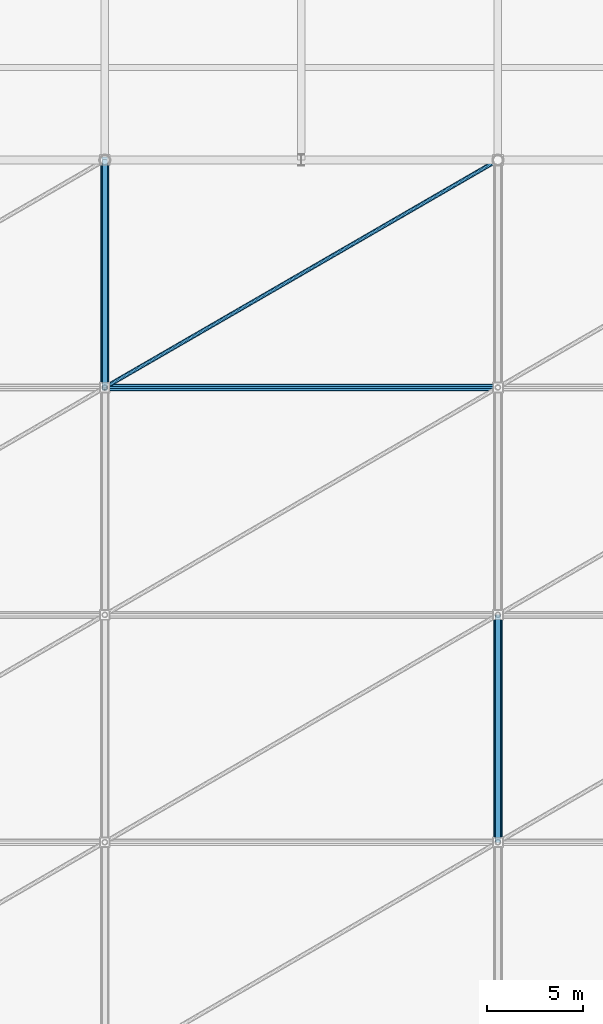
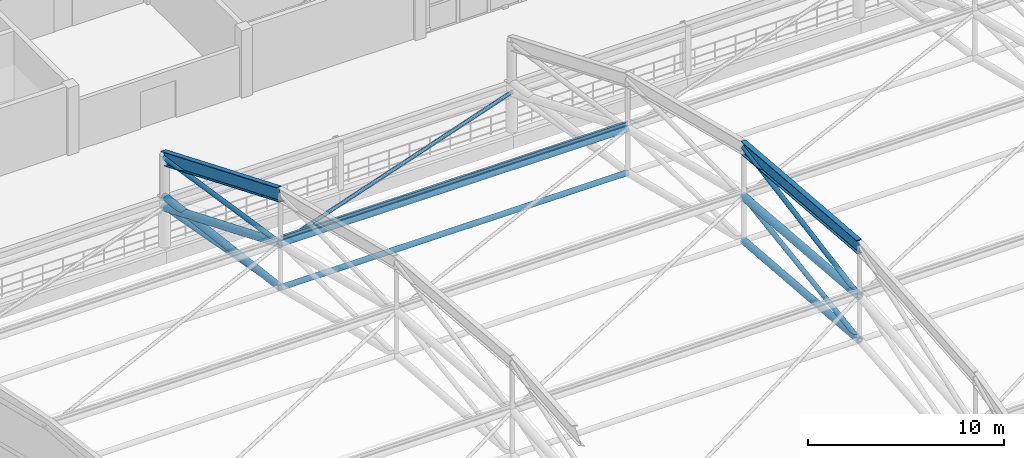
# One storey, part 28 of 135: 12 members, 2 beams.
"""IFC4 building model written with IfcOpenShell, lengths in metres."""

import ifcopenshell
import ifcopenshell.guid

model = None  # the IFC model being written
_history = None  # IfcOwnerHistory: only IFC2X3 demands one
_inside = {}  # id of a spatial element -> (the spatial element, [elements in it])
_under = {}  # id of a project, library or spatial element -> (it, [spatial elements below it])
_declared = {}  # id of a project -> (the project, [libraries it declares])
_typed = {}  # id of a type object -> (the type object, [elements of that type])
_made_of = {}  # id of a material, layer set ... -> (it, [elements and type objects made of it])


def new_model(schema):
    """Start an empty IFC model of exactly this schema.

    Asked for "IFC4X3", IfcOpenShell would pick the latest addendum, in which some entities
    have other attributes; the version numbers below select the first issue.
    IFC2X3 requires an IfcOwnerHistory on every rooted entity: one is made here for all.
    """
    global model, _history
    if schema == "IFC4X3":
        model = ifcopenshell.file(schema_version=(4, 3, 0, 0))
    else:
        model = ifcopenshell.file(schema=schema)
    _inside.clear()
    _under.clear()
    _declared.clear()
    _typed.clear()
    _made_of.clear()
    _history = None
    if model.schema == "IFC2X3":
        org = make("IfcOrganization", Name="unknown")
        user = make(
            "IfcPersonAndOrganization",
            ThePerson=make("IfcPerson", FamilyName="unknown"),
            TheOrganization=org,
        )
        app = make(
            "IfcApplication",
            ApplicationDeveloper=org,
            Version="unknown",
            ApplicationFullName="unknown",
            ApplicationIdentifier="unknown",
        )
        _history = make(
            "IfcOwnerHistory",
            OwningUser=user,
            OwningApplication=app,
            ChangeAction="ADDED",
            CreationDate=0,
        )
    return model


def make(cls, **values):
    """One entity of the class cls with the attributes given. An attribute that is None is left unset."""
    return model.create_entity(
        cls, **{name: value for name, value in values.items() if value is not None}
    )


def rooted(cls, **values):
    """An entity with a GlobalId (a new one), such as an element, a storey or a relation."""
    return make(cls, GlobalId=ifcopenshell.guid.new(), OwnerHistory=_history, **values)


def si_unit(unit_type, name, prefix=None):
    """IfcSIUnit, for example si_unit("LENGTHUNIT", "METRE", prefix="MILLI")."""
    return make("IfcSIUnit", UnitType=unit_type, Prefix=prefix, Name=name)


def assignment(units):
    """IfcUnitAssignment: the units of a project."""
    return None if units is None else make("IfcUnitAssignment", Units=units)


def point(xyz):
    """IfcCartesianPoint."""
    return None if xyz is None else make("IfcCartesianPoint", Coordinates=xyz)


def direction(xyz):
    """IfcDirection."""
    return None if xyz is None else make("IfcDirection", DirectionRatios=xyz)


def frame(location, z_axis=None, x_axis=None):
    """IfcAxis2Placement3D, a coordinate frame: its origin and axes. An axis left out is left unset."""
    return make(
        "IfcAxis2Placement3D",
        Location=point(location),
        Axis=direction(z_axis),
        RefDirection=direction(x_axis),
    )


def frame_2d(location, x_axis=None):
    """IfcAxis2Placement2D, a coordinate frame in the plane: its origin and x axis."""
    return make(
        "IfcAxis2Placement2D", Location=point(location), RefDirection=direction(x_axis)
    )


def origin():
    """The frame at (0, 0, 0) with its axes left unset."""
    return frame((0.0, 0.0, 0.0))


def origin_2d():
    """The frame at (0, 0) in the plane with its x axis left unset."""
    return frame_2d((0.0, 0.0))


def place(relative_to, where):
    """IfcLocalPlacement: puts the frame where relative to a parent placement (None: the world)."""
    return make(
        "IfcLocalPlacement", PlacementRelTo=relative_to, RelativePlacement=where
    )


def context(
    kind, dimensions, precision=None, world=None, true_north=None, identifier=None
):
    """IfcGeometricRepresentationContext, for example the 3D "Model" context."""
    return make(
        "IfcGeometricRepresentationContext",
        ContextIdentifier=identifier,
        ContextType=kind,
        CoordinateSpaceDimension=dimensions,
        Precision=precision,
        WorldCoordinateSystem=world,
        TrueNorth=true_north,
    )


def subcontext(parent, identifier, kind, view, scale=None):
    """IfcGeometricRepresentationSubContext, for example "Body" below "Model"."""
    return make(
        "IfcGeometricRepresentationSubContext",
        ContextIdentifier=identifier,
        ContextType=kind,
        ParentContext=parent,
        TargetScale=scale,
        TargetView=view,
    )


def project(units=None, contexts=None):
    """IfcProject with its units and contexts."""
    return rooted(
        "IfcProject",
        Name="project",
        RepresentationContexts=contexts,
        UnitsInContext=assignment(units),
    )


def spatial(cls, under=None, at=None, **own):
    """A site, building, storey or space (cls), placed at a placement, below another one or the project."""
    s = rooted(cls, ObjectPlacement=at, **own)
    if under is not None:
        _under.setdefault(under.id(), (under, []))[1].append(s)
    return s


def profile(cls, at=None, kind="AREA", **sizes):
    """A parametric profile (cls). Its sizes go by their IFC names, for example OverallWidth=200.0."""
    return make(cls, ProfileType=kind, Position=at, **sizes)


def hollow_circle(**sizes):
    """IfcCircleHollowProfileDef."""
    return profile("IfcCircleHollowProfileDef", **sizes)


def i_section(**sizes):
    """IfcIShapeProfileDef."""
    return profile("IfcIShapeProfileDef", **sizes)


def extrude(swept, where, along, depth):
    """IfcExtrudedAreaSolid: the profile swept, set in the frame where, extruded along a direction by depth."""
    return make(
        "IfcExtrudedAreaSolid",
        SweptArea=swept,
        Position=where,
        ExtrudedDirection=direction(along),
        Depth=depth,
    )


def shape(context_of_items, identifier, shape_type, items):
    """IfcShapeRepresentation: the items that make up one representation, for example the "Body"."""
    return make(
        "IfcShapeRepresentation",
        ContextOfItems=context_of_items,
        RepresentationIdentifier=identifier,
        RepresentationType=shape_type,
        Items=items,
    )


def material(Name=None, Category=None):
    """IfcMaterial."""
    return make("IfcMaterial", Name=Name, Category=Category)


def material_profile(
    of_material, cross_section, Name=None, Category=None, Priority=None
):
    """IfcMaterialProfile: a cross section and its material."""
    return make(
        "IfcMaterialProfile",
        Name=Name,
        Material=of_material,
        Profile=cross_section,
        Priority=Priority,
        Category=Category,
    )


def profile_set(profiles, Name=None, composite=None):
    """IfcMaterialProfileSet."""
    return make(
        "IfcMaterialProfileSet",
        Name=Name,
        MaterialProfiles=profiles,
        CompositeProfile=composite,
    )


def made_of(thing, what):
    """Note that an element or type object is made of a material, layer set ...; save() writes the relation."""
    if what is not None:
        _made_of.setdefault(what.id(), (what, []))[1].append(thing)
    return thing


def type_object(cls, material=None, **own):
    """A type object (cls), such as IfcWallType, which elements share."""
    return made_of(rooted(cls, **own), material)


def element(
    cls,
    number,
    at=None,
    inside=None,
    cuts=None,
    type_object=None,
    material=None,
    context=None,
    identifier="Body",
    shape_type=None,
    held_by="IfcProductDefinitionShape",
    body=None,
    shapes=None,
    **own,
):
    """One element of the class cls, such as IfcWall. Its Tag is "e" and its number.

    at: its placement. inside: the storey or other place that contains it. cuts: it is an
    opening in that element (IfcRelVoidsElement). A single representation is given by context,
    identifier, shape_type and body (its items); several are given by shapes. held_by: the class
    of the entity that holds the representations. save() writes the other relations.
    """
    e = rooted(cls, Tag="e%d" % number, ObjectPlacement=at, **own)
    if body is not None:
        shapes = [shape(context, identifier, shape_type, body)]
    if shapes is not None:
        e.Representation = make(held_by, Representations=shapes)
    if inside is not None:
        _inside.setdefault(inside.id(), (inside, []))[1].append(e)
    if cuts is not None:
        rooted(
            "IfcRelVoidsElement", RelatingBuildingElement=cuts, RelatedOpeningElement=e
        )
    if type_object is not None:
        _typed.setdefault(type_object.id(), (type_object, []))[1].append(e)
    return made_of(e, material)


def aggregate(whole, parts):
    """IfcRelAggregates: a whole, such as a stair, and the parts it consists of."""
    return rooted("IfcRelAggregates", RelatingObject=whole, RelatedObjects=parts)


def save(model, path):
    """Write the relations noted so far, then the file.

    IfcRelAggregates (storeys below a building ...), IfcRelContainedInSpatialStructure (elements
    in a storey), IfcRelDefinesByType, IfcRelAssociatesMaterial and IfcRelDeclares: one each for
    every whole, place, type object, material and project.
    """
    for whole, parts in _under.values():
        aggregate(whole, parts)
    for where, things in _inside.values():
        rooted(
            "IfcRelContainedInSpatialStructure",
            RelatedElements=things,
            RelatingStructure=where,
        )
    for kind, things in _typed.values():
        rooted("IfcRelDefinesByType", RelatedObjects=things, RelatingType=kind)
    for what, things in _made_of.values():
        rooted("IfcRelAssociatesMaterial", RelatedObjects=things, RelatingMaterial=what)
    for by, libraries in _declared.values():
        rooted("IfcRelDeclares", RelatingContext=by, RelatedDefinitions=libraries)
    model.write(path)


model = new_model("IFC4")

# Units and contexts
model_context = context("Model", 3, precision=1e-05, world=origin(), true_north=direction((0.0, 1.0)))
body_context = subcontext(model_context, "Body", "Model", "MODEL_VIEW")
ifc_project = project(units=[si_unit("LENGTHUNIT", "METRE"), si_unit("AREAUNIT", "SQUARE_METRE"), si_unit("VOLUMEUNIT", "CUBIC_METRE"), si_unit("PLANEANGLEUNIT", "RADIAN"), si_unit("MASSUNIT", "GRAM", prefix="KILO")], contexts=[model_context])

# Site, building, storey
site_placement = place(None, origin())
site = spatial("IfcSite", under=ifc_project, at=site_placement, CompositionType="ELEMENT")
building_placement = place(site_placement, origin())
building = spatial("IfcBuilding", under=site, at=building_placement, Name="Brelvane Convention Centre", CompositionType="ELEMENT")
storey_placement = place(building_placement, frame((0.0, 0.0, 15.0)))
storey = spatial("IfcBuildingStorey", under=building, at=storey_placement, Name="L03", CompositionType="ELEMENT", Elevation=15.0)

# Beams
ifc_material_1 = material(Name="Steel E450 (450 MPa)", Category="steel")
ifc_material_profile_1 = material_profile(ifc_material_1, i_section(OverallWidth=0.300048828125, OverallDepth=0.800048828125, WebThickness=0.015380859375, FlangeThickness=0.030029296875, FilletRadius=0.027099609375, at=origin_2d()), Name="NPB 800x300")
ifc_profile_set_1 = profile_set([ifc_material_profile_1], Name="Steel E450 (450 MPa)")
beam_type = type_object("IfcBeamType", Name="Steel Beam B-ST2 (NPB 800x300)", PredefinedType="BEAM", material=ifc_profile_set_1)
beam_1_placement = place(storey_placement, frame((20.39990234375, 87.800048828125, 10.288818359375), z_axis=(0.0, 0.923846983903, -0.382762002207), x_axis=(-1.0, 0.0, 0.0)))
element("IfcBeam", 1, at=beam_1_placement, inside=storey, type_object=beam_type, Name="EXO_EXH Exoskeletal Arch Girder 2.6", PredefinedType="BEAM", context=body_context, shape_type="SweptSolid", body=[
    extrude(i_section(OverallWidth=0.300048828125, OverallDepth=0.800048828125, WebThickness=0.015380859375, FlangeThickness=0.030029296875, FilletRadius=0.027099609375, at=origin_2d()), origin(), (0.0, 0.0, 1.0), 12.772705078125),
])
beam_2_placement = place(storey_placement, frame((40.800048828125, 64.199951171875, 14.199951171875), z_axis=(0.0, 0.996584470208, -0.082579620615), x_axis=(-1.0, 0.0, 0.0)))
element("IfcBeam", 2, at=beam_2_placement, inside=storey, type_object=beam_type, Name="EXO_EXH Exoskeletal Arch Girder 3.4", PredefinedType="BEAM", context=body_context, shape_type="SweptSolid", body=[
    extrude(i_section(OverallWidth=0.300048828125, OverallDepth=0.800048828125, WebThickness=0.015380859375, FlangeThickness=0.030029296875, FilletRadius=0.027099609375, at=origin_2d()), origin(), (0.0, 0.0, 1.0), 11.840576171875),
])

# Members
ifc_material_2 = material(Name="Steel E350 (350 MPa)", Category="steel")
ifc_material_profile_2 = material_profile(ifc_material_2, hollow_circle(Radius=0.136474609375, WallThickness=0.012451171875, at=origin_2d()), Name="CHS 273.0x12.5")
ifc_profile_set_2 = profile_set([ifc_material_profile_2], Name="Steel E350 (350 MPa)")
member_type_1 = type_object("IfcMemberType", Name="Steel Brace SF-DG1 (CHS 273.0x12.5)", PredefinedType="BRACE", material=ifc_profile_set_2)
member_1_placement = place(storey_placement, frame((20.39990234375, 87.800048828125, 4.489013671875), z_axis=(0.0, 0.983819064294, -0.179164864666), x_axis=(-1.0, 0.0, 0.0)))
element("IfcMember", 3, at=member_1_placement, inside=storey, type_object=member_type_1, Name="SF_EXH Space-Frame Web Diagonal D2.6", PredefinedType="BRACE", context=body_context, shape_type="SweptSolid", body=[
    extrude(hollow_circle(Radius=0.136474609375, WallThickness=0.012451171875, at=origin_2d()), origin(), (0.0, 0.0, 1.0), 11.994140625),
])
member_2_placement = place(storey_placement, frame((40.800048828125, 64.199951171875, 8.39990234375), z_axis=(0.0, 0.989032056502, 0.147701019672), x_axis=(-1.0, 0.0, 0.0)))
element("IfcMember", 4, at=member_2_placement, inside=storey, type_object=member_type_1, Name="SF_EXH Space-Frame Web Diagonal D3.4", PredefinedType="BRACE", context=body_context, shape_type="SweptSolid", body=[
    extrude(hollow_circle(Radius=0.136474609375, WallThickness=0.012451171875, at=origin_2d()), origin(), (0.0, 0.0, 1.0), 11.930908203125),
])
member_3_placement = place(storey_placement, frame((20.39990234375, 87.800048828125, 7.22900390625), z_axis=(0.0, 0.988198514394, -0.153178641298), x_axis=(-1.0, 0.0, 0.0)))
element("IfcMember", 5, at=member_3_placement, inside=storey, type_object=member_type_1, Name="EXO_EXH Exoskeletal Arch Web 2.6", PredefinedType="BRACE", context=body_context, shape_type="SweptSolid", body=[
    extrude(hollow_circle(Radius=0.136474609375, WallThickness=0.012451171875, at=origin_2d()), origin(), (0.0, 0.0, 1.0), 11.94091796875),
])
member_4_placement = place(storey_placement, frame((40.800048828125, 64.199951171875, 11.139892578125), z_axis=(0.0, 0.984784789498, 0.173778359912), x_axis=(-1.0, 0.0, 0.0)))
element("IfcMember", 6, at=member_4_placement, inside=storey, type_object=member_type_1, Name="EXO_EXH Exoskeletal Arch Web 3.4", PredefinedType="BRACE", context=body_context, shape_type="SweptSolid", body=[
    extrude(hollow_circle(Radius=0.136474609375, WallThickness=0.012451171875, at=origin_2d()), origin(), (0.0, 0.0, 1.0), 11.982421875),
])
ifc_material_3 = material(Name="Steel E350 (350 MPa)", Category="steel")
ifc_material_profile_3 = material_profile(ifc_material_3, hollow_circle(Radius=0.109619140625, WallThickness=0.010009765625, at=origin_2d()), Name="CHS 219.1x10.0")
ifc_profile_set_3 = profile_set([ifc_material_profile_3], Name="Steel E350 (350 MPa)")
member_type_2 = type_object("IfcMemberType", Name="Steel Brace SF-DG2 (CHS 219.1x10.0)", PredefinedType="BRACE", material=ifc_profile_set_3)
member_5_placement = place(storey_placement, frame((20.39990234375, 87.800048828125, 7.22900390625), z_axis=(0.847575290674, 0.490262647041, -0.203122287195), x_axis=(-0.500700562715, 0.865620555727, 0.0)))
element("IfcMember", 7, at=member_5_placement, inside=storey, type_object=member_type_2, Name="SF_EXH Roof Diaphragm Brace PB2.6", PredefinedType="BRACE", context=body_context, shape_type="SweptSolid", body=[
    extrude(hollow_circle(Radius=0.109619140625, WallThickness=0.010009765625, at=origin_2d()), origin(), (0.0, 0.0, 1.0), 24.06884765625),
])
ifc_material_4 = material(Name="Steel E450 (450 MPa)", Category="steel")
ifc_material_profile_4 = material_profile(ifc_material_4, hollow_circle(Radius=0.203125, WallThickness=0.01611328125, at=origin_2d()), Name="CHS 406.4x16.0")
ifc_profile_set_4 = profile_set([ifc_material_profile_4], Name="Steel E450 (450 MPa)")
member_type_3 = type_object("IfcMemberType", Name="Steel Chord SF-BC1 (CHS 406.4x16.0)", PredefinedType="CHORD", material=ifc_profile_set_4)
member_6_placement = place(storey_placement, frame((20.39990234375, 87.800048828125, 4.489013671875), z_axis=(0.0, 0.992132246813, -0.125194268374), x_axis=(-1.0, 0.0, 0.0)))
element("IfcMember", 8, at=member_6_placement, inside=storey, type_object=member_type_3, Name="SF_EXH Space-Frame Bottom Chord B2.6", PredefinedType="CHORD", context=body_context, shape_type="SweptSolid", body=[
    extrude(hollow_circle(Radius=0.203125, WallThickness=0.01611328125, at=origin_2d()), origin(), (0.0, 0.0, 1.0), 11.8935546875),
])
member_7_placement = place(storey_placement, frame((40.800048828125, 64.199951171875, 8.39990234375), z_axis=(0.0, 0.996584470208, -0.082579620615), x_axis=(-1.0, 0.0, 0.0)))
element("IfcMember", 9, at=member_7_placement, inside=storey, type_object=member_type_3, Name="SF_EXH Space-Frame Bottom Chord B3.4", PredefinedType="CHORD", context=body_context, shape_type="SweptSolid", body=[
    extrude(hollow_circle(Radius=0.203125, WallThickness=0.01611328125, at=origin_2d()), origin(), (0.0, 0.0, 1.0), 11.840576171875),
])
ifc_material_5 = material(Name="Steel E350 (350 MPa)", Category="steel")
ifc_material_profile_5 = material_profile(ifc_material_5, hollow_circle(Radius=0.161865234375, WallThickness=0.012451171875, at=origin_2d()), Name="CHS 323.9x12.5")
ifc_profile_set_5 = profile_set([ifc_material_profile_5], Name="Steel E350 (350 MPa)")
member_type_4 = type_object("IfcMemberType", Name="Steel Chord SF-BC2 (CHS 323.9x12.5)", PredefinedType="CHORD", material=ifc_profile_set_5)
member_8_placement = place(storey_placement, frame((20.39990234375, 87.800048828125, 4.489013671875), z_axis=(1.0, 0.0, 0.0), x_axis=(0.0, 1.0, 0.0)))
element("IfcMember", 10, at=member_8_placement, inside=storey, type_object=member_type_4, Name="SF_EXH Longitudinal Bottom Chord LB2.6", PredefinedType="CHORD", context=body_context, shape_type="SweptSolid", body=[
    extrude(hollow_circle(Radius=0.161865234375, WallThickness=0.012451171875, at=origin_2d()), origin(), (0.0, 0.0, 1.0), 20.400146484375),
])
ifc_material_6 = material(Name="Steel E450 (450 MPa)", Category="steel")
ifc_material_profile_6 = material_profile(ifc_material_6, hollow_circle(Radius=0.228515625, WallThickness=0.02001953125, at=origin_2d()), Name="CHS 457.0x20.0")
ifc_profile_set_6 = profile_set([ifc_material_profile_6], Name="Steel E450 (450 MPa)")
member_type_5 = type_object("IfcMemberType", Name="Steel Chord SF-TC1 (CHS 457.0x20.0)", PredefinedType="CHORD", material=ifc_profile_set_6)
member_9_placement = place(storey_placement, frame((20.39990234375, 87.800048828125, 7.22900390625), z_axis=(0.0, 0.923846983903, -0.382762002207), x_axis=(-1.0, 0.0, 0.0)))
element("IfcMember", 11, at=member_9_placement, inside=storey, type_object=member_type_5, Name="SF_EXH Space-Frame Top Chord T2.6", PredefinedType="CHORD", context=body_context, shape_type="SweptSolid", body=[
    extrude(hollow_circle(Radius=0.228515625, WallThickness=0.02001953125, at=origin_2d()), origin(), (0.0, 0.0, 1.0), 12.772705078125),
])
member_10_placement = place(storey_placement, frame((40.800048828125, 64.199951171875, 11.139892578125), z_axis=(0.0, 0.996584470208, -0.082579620615), x_axis=(-1.0, 0.0, 0.0)))
element("IfcMember", 12, at=member_10_placement, inside=storey, type_object=member_type_5, Name="SF_EXH Space-Frame Top Chord T3.4", PredefinedType="CHORD", context=body_context, shape_type="SweptSolid", body=[
    extrude(hollow_circle(Radius=0.228515625, WallThickness=0.02001953125, at=origin_2d()), origin(), (0.0, 0.0, 1.0), 11.840576171875),
])
ifc_material_7 = material(Name="Steel E450 (450 MPa)", Category="steel")
ifc_material_profile_7 = material_profile(ifc_material_7, hollow_circle(Radius=0.177734375, WallThickness=0.01611328125, at=origin_2d()), Name="CHS 355.6x16.0")
ifc_profile_set_7 = profile_set([ifc_material_profile_7], Name="Steel E450 (450 MPa)")
member_type_6 = type_object("IfcMemberType", Name="Steel Chord SF-TC2 (CHS 355.6x16.0)", PredefinedType="CHORD", material=ifc_profile_set_7)
member_11_placement = place(storey_placement, frame((20.39990234375, 87.800048828125, 7.22900390625), z_axis=(1.0, 0.0, 0.0), x_axis=(0.0, 1.0, 0.0)))
element("IfcMember", 13, at=member_11_placement, inside=storey, type_object=member_type_6, Name="SF_EXH Longitudinal Top Chord LT2.6", PredefinedType="CHORD", context=body_context, shape_type="SweptSolid", body=[
    extrude(hollow_circle(Radius=0.177734375, WallThickness=0.01611328125, at=origin_2d()), origin(), (0.0, 0.0, 1.0), 20.400146484375),
])
ifc_material_8 = material(Name="Steel E350 (350 MPa)", Category="steel")
ifc_material_profile_8 = material_profile(ifc_material_8, i_section(OverallWidth=0.125, OverallDepth=0.25, WebThickness=0.0068359375, FlangeThickness=0.012451171875, FilletRadius=0.012939453125, at=origin_2d()), Name="ISMB 250")
ifc_profile_set_8 = profile_set([ifc_material_profile_8], Name="Steel E350 (350 MPa)")
member_type_7 = type_object("IfcMemberType", Name="Steel Purlin PR-ST1 (ISMB 250)", PredefinedType="PURLIN", material=ifc_profile_set_8)
member_12_placement = place(storey_placement, frame((20.39990234375, 87.800048828125, 7.56396484375), z_axis=(1.0, 0.0, 0.0), x_axis=(0.0, 1.0, 0.0)))
element("IfcMember", 14, at=member_12_placement, inside=storey, type_object=member_type_7, Name="SF_EXH Roof Purlin P2.6", PredefinedType="PURLIN", context=body_context, shape_type="SweptSolid", body=[
    extrude(i_section(OverallWidth=0.125, OverallDepth=0.25, WebThickness=0.0068359375, FlangeThickness=0.012451171875, FilletRadius=0.012939453125, at=origin_2d()), origin(), (0.0, 0.0, 1.0), 20.400146484375),
])

save(model, "model.ifc")
